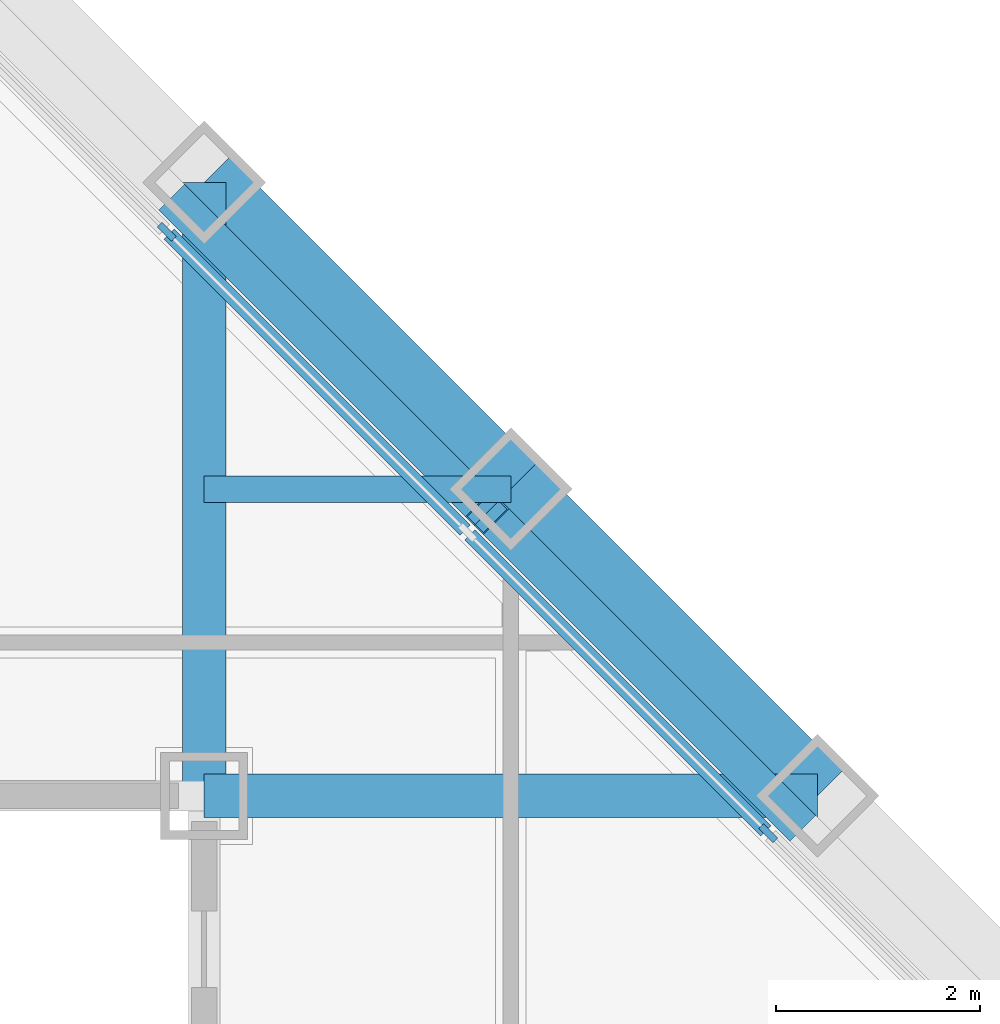
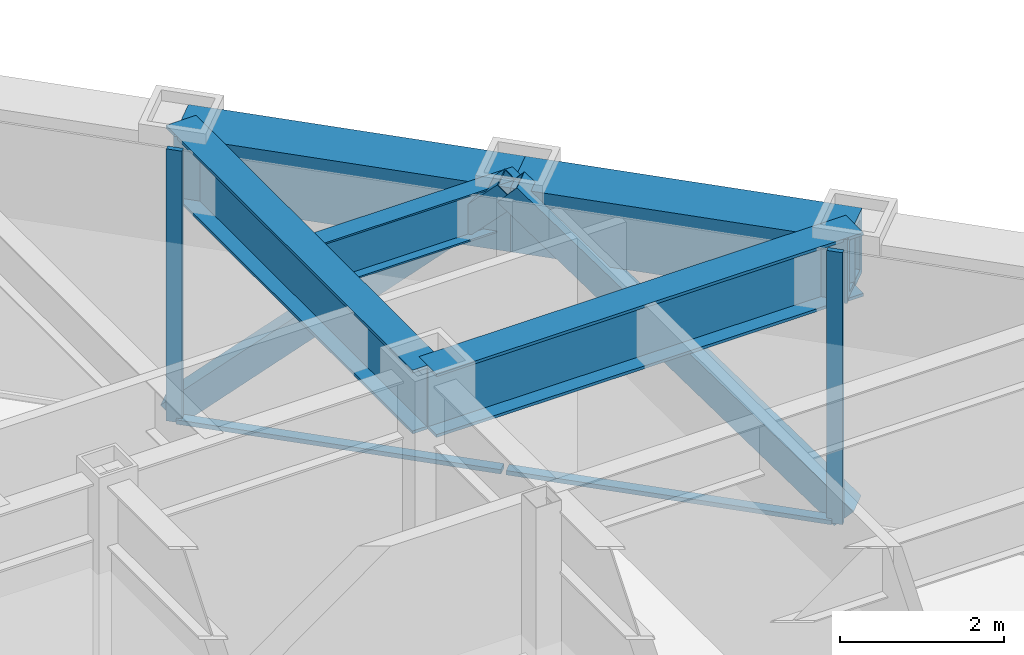
# One storey, part 9 of 16: 6 members, 5 beams, 1 element without a shape of its own.
"""IFC4 building model written with IfcOpenShell, lengths in metres."""

from ifc_helpers import new_model, si_unit, direction, frame, origin, origin_2d, place, context, subcontext, project, spatial, rectangle, hollow_rectangle, i_section, extrude, material, layer, layer_set, material_profile, profile_set, type_object, element, aggregate, save


model = new_model("IFC4")

# Units and contexts
model_context = context("Model", 3, precision=1e-05, world=origin(), true_north=direction((0.0, 1.0)))
body_context = subcontext(model_context, "Body", "Model", "MODEL_VIEW")
ifc_project = project(units=[si_unit("LENGTHUNIT", "METRE"), si_unit("AREAUNIT", "SQUARE_METRE"), si_unit("VOLUMEUNIT", "CUBIC_METRE"), si_unit("PLANEANGLEUNIT", "RADIAN"), si_unit("MASSUNIT", "GRAM", prefix="KILO")], contexts=[model_context])

# Site, building, storey
site_placement = place(None, origin())
site = spatial("IfcSite", under=ifc_project, at=site_placement, CompositionType="ELEMENT")
building_placement = place(site_placement, origin())
building = spatial("IfcBuilding", under=site, at=building_placement, Name="Chuquiago Exchange Tower", CompositionType="ELEMENT")
storey_placement = place(building_placement, frame((0.0, 0.0, 247.5)))
storey = spatial("IfcBuildingStorey", under=building, at=storey_placement, Name="L55", CompositionType="ELEMENT", Elevation=247.5)

# Beam
ifc_material_1 = material(Name="Steel ASTM A992", Category="steel")
ifc_material_profile_1 = material_profile(ifc_material_1, i_section(OverallWidth=0.256591796875, OverallDepth=0.693359375, WebThickness=0.014404296875, FlangeThickness=0.023681640625, at=origin_2d()), Name="W27X114")
ifc_profile_set_1 = profile_set([ifc_material_profile_1], Name="Steel ASTM A992")
beam_type_1 = type_object("IfcBeamType", Name="B9 W27X114", PredefinedType="BEAM", material=ifc_profile_set_1)
beam_placement = place(storey_placement, frame((33.0, 36.0, 3.693359375), z_axis=(1.0, 0.0, 0.0), x_axis=(0.0, 1.0, 0.0)))
element("IfcBeam", 1, at=beam_placement, inside=storey, type_object=beam_type_1, Name="FB-L56-corner-33_36-36_36-0", PredefinedType="BEAM", context=body_context, shape_type="SweptSolid", body=[
    extrude(i_section(OverallWidth=0.256591796875, OverallDepth=0.693359375, WebThickness=0.014404296875, FlangeThickness=0.023681640625, at=origin_2d()), origin(), (0.0, 0.0, 1.0), 3.0),
])

# Curtain wall, members
ifc_material_2 = material(Name="Aluminium curtain wall system", Category="aluminium")
ifc_layer = layer(ifc_material_2, 0.199951171875)
ifc_layer_set = layer_set([ifc_layer], Name="CW3 facet curtain wall")
curtain_wall_type = type_object("IfcCurtainWallType", Name="CW3 facet curtain wall", PredefinedType="NOTDEFINED", material=ifc_layer_set)
curtain_wall_placement = place(storey_placement, origin())
curtain_wall = element("IfcCurtainWall", 2, at=curtain_wall_placement, inside=storey, type_object=curtain_wall_type, Name="CW3 curtain wall L55", PredefinedType="NOTDEFINED")
ifc_material_3 = material(Name="Aluminium mullion, pale anodised", Category="aluminium")
ifc_material_profile_2 = material_profile(ifc_material_3, rectangle(XDim=0.06494140625, YDim=0.199951171875, at=origin_2d()), Name="AL 65x200")
ifc_profile_set_2 = profile_set([ifc_material_profile_2], Name="Aluminium mullion, pale anodised")
member_type_1 = type_object("IfcMemberType", Name="CW3-M mullion 65x200", PredefinedType="MULLION", material=ifc_profile_set_2)
member_1_placement = place(storey_placement, frame((38.51708984375, 32.63427734375, 0.0), z_axis=(0.0, 0.0, 1.0), x_axis=(-0.707106781187, -0.707106781187, 0.0)))
member_1 = element("IfcMember", 3, at=member_1_placement, type_object=member_type_1, Name="CW3 mullion 3", PredefinedType="MULLION", context=body_context, shape_type="SweptSolid", body=[
    extrude(rectangle(XDim=0.06494140625, YDim=0.199951171875, at=origin_2d()), origin(), (0.0, 0.0, 1.0), 4.0400390625),
])
member_2_placement = place(storey_placement, frame((32.63427734375, 38.51708984375, 0.0), z_axis=(0.0, 0.0, 1.0), x_axis=(-0.707106781187, -0.707106781187, 0.0)))
member_2 = element("IfcMember", 4, at=member_2_placement, type_object=member_type_1, Name="CW3 mullion 5", PredefinedType="MULLION", context=body_context, shape_type="SweptSolid", body=[
    extrude(rectangle(XDim=0.06494140625, YDim=0.199951171875, at=origin_2d()), origin(), (0.0, 0.0, 1.0), 4.0400390625),
])
ifc_material_4 = material(Name="Aluminium transom, pale anodised", Category="aluminium")
ifc_material_profile_3 = material_profile(ifc_material_4, rectangle(XDim=0.139892578125, YDim=0.06494140625, at=origin_2d()), Name="AL 140x65")
ifc_profile_set_3 = profile_set([ifc_material_profile_3], Name="Aluminium transom, pale anodised")
member_type_2 = type_object("IfcMemberType", Name="CW3-T transom 65x140", PredefinedType="MULLION", material=ifc_profile_set_3)
member_3_placement = place(storey_placement, frame((38.494140625, 32.6572265625, 0.032470703125), z_axis=(-0.707106781187, 0.707106781187, 0.0), x_axis=(-0.707106781187, -0.707106781187, 0.0)))
member_3 = element("IfcMember", 5, at=member_3_placement, type_object=member_type_2, Name="CW3 transom 3.1", PredefinedType="MULLION", context=body_context, shape_type="SweptSolid", body=[
    extrude(rectangle(XDim=0.139892578125, YDim=0.06494140625, at=origin_2d()), origin(), (0.0, 0.0, 1.0), 4.094970703125),
])
member_4_placement = place(storey_placement, frame((35.552734375, 35.5986328125, 0.032470703125), z_axis=(-0.707106781187, 0.707106781187, 0.0), x_axis=(-0.707106781187, -0.707106781187, 0.0)))
member_4 = element("IfcMember", 6, at=member_4_placement, type_object=member_type_2, Name="CW3 transom 4.1", PredefinedType="MULLION", context=body_context, shape_type="SweptSolid", body=[
    extrude(rectangle(XDim=0.139892578125, YDim=0.06494140625, at=origin_2d()), origin(), (0.0, 0.0, 1.0), 4.094970703125),
])
aggregate(curtain_wall, [member_1, member_2, member_3, member_4])

# Beams
ifc_material_5 = material(Name="Steel ASTM A992", Category="steel")
ifc_material_profile_4 = material_profile(ifc_material_5, i_section(OverallWidth=0.424072265625, OverallDepth=0.947509765625, WebThickness=0.02392578125, FlangeThickness=0.042724609375, at=origin_2d()), Name="W36X302")
ifc_profile_set_4 = profile_set([ifc_material_profile_4], Name="Steel ASTM A992")
beam_type_2 = type_object("IfcBeamType", Name="G4 W36X302", PredefinedType="BEAM", material=ifc_profile_set_4)
for number, where, z_axis, x_axis, name in (
    (7, (33.0, 33.0, 3.56640625), (0.0, 1.0, 0.0), (-1.0, 0.0, 0.0), "FB-L56-girder-33_33-33_39-0"),
    (8, (33.0, 33.0, 3.56640625), (1.0, 0.0, 0.0), (0.0, 1.0, 0.0), "FB-L56-girder-33_33-39_33-0"),
):
    element("IfcBeam", number, at=place(storey_placement, frame(where, z_axis=z_axis, x_axis=x_axis)), inside=storey, type_object=beam_type_2, Name=name, PredefinedType="BEAM", context=body_context, shape_type="SweptSolid", body=[
        extrude(i_section(OverallWidth=0.424072265625, OverallDepth=0.947509765625, WebThickness=0.02392578125, FlangeThickness=0.042724609375, at=origin_2d()), origin(), (0.0, 0.0, 1.0), 6.0),
    ])

# Members
ifc_material_6 = material(Name="Steel ASTM A500 Grade C", Category="steel")
ifc_material_profile_5 = material_profile(ifc_material_6, hollow_rectangle(XDim=0.355712890625, YDim=0.355712890625, WallThickness=0.0146484375, at=origin_2d()), Name="HSS14X14X5/8")
ifc_profile_set_5 = profile_set([ifc_material_profile_5], Name="Steel ASTM A500 Grade C")
member_type_3 = type_object("IfcMemberType", Name="LB2 HSS14X14X5/8", PredefinedType="BRACE", material=ifc_profile_set_5)
for number, where, z_axis, x_axis, name in (
    (9, (38.7685546875, 32.7685546875, 0.0), (-0.512077265487, 0.512077265487, 0.689604051861), (-0.707106781187, -0.707106781187, 0.0), "LB-L55-39_33-36_36"),
    (10, (32.7685546875, 38.7685546875, 0.0), (0.512077265487, -0.512077265487, 0.689604051861), (0.707106781187, 0.707106781187, 0.0), "LB-L55-36_36-33_39"),
):
    element("IfcMember", number, at=place(storey_placement, frame(where, z_axis=z_axis, x_axis=x_axis)), inside=storey, type_object=member_type_3, Name=name, PredefinedType="BRACE", context=body_context, shape_type="SweptSolid", body=[
        extrude(hollow_rectangle(XDim=0.355712890625, YDim=0.355712890625, WallThickness=0.0146484375, at=origin_2d()), origin(), (0.0, 0.0, 1.0), 5.8583984375),
    ])

# Beams
ifc_material_7 = material(Name="Steel ASTM A572 Grade 50", Category="steel")
ifc_material_profile_6 = material_profile(ifc_material_7, hollow_rectangle(XDim=0.699951171875, YDim=0.949951171875, WallThickness=0.10009765625, at=origin_2d()), Name="BOX950X700X100")
ifc_profile_set_6 = profile_set([ifc_material_profile_6], Name="Steel ASTM A572 Grade 50")
beam_type_3 = type_object("IfcBeamType", Name="SP5 BOX950X700X100", PredefinedType="SPANDREL", material=ifc_profile_set_6)
for number, where, z_axis, x_axis, name in (
    (11, (39.0, 33.0, 3.56494140625), (-0.707106781187, 0.707106781187, 0.0), (-0.707106781187, -0.707106781187, 0.0), "SPB-L56-39_33-36_36"),
    (12, (36.0, 36.0, 3.56494140625), (-0.707106781187, 0.707106781187, 0.0), (-0.707106781187, -0.707106781187, 0.0), "SPB-L56-36_36-33_39"),
):
    element("IfcBeam", number, at=place(storey_placement, frame(where, z_axis=z_axis, x_axis=x_axis)), inside=storey, type_object=beam_type_3, Name=name, PredefinedType="SPANDREL", context=body_context, shape_type="SweptSolid", body=[
        extrude(hollow_rectangle(XDim=0.699951171875, YDim=0.949951171875, WallThickness=0.10009765625, at=origin_2d()), origin(), (0.0, 0.0, 1.0), 4.24267578125),
    ])

save(model, "model.ifc")
